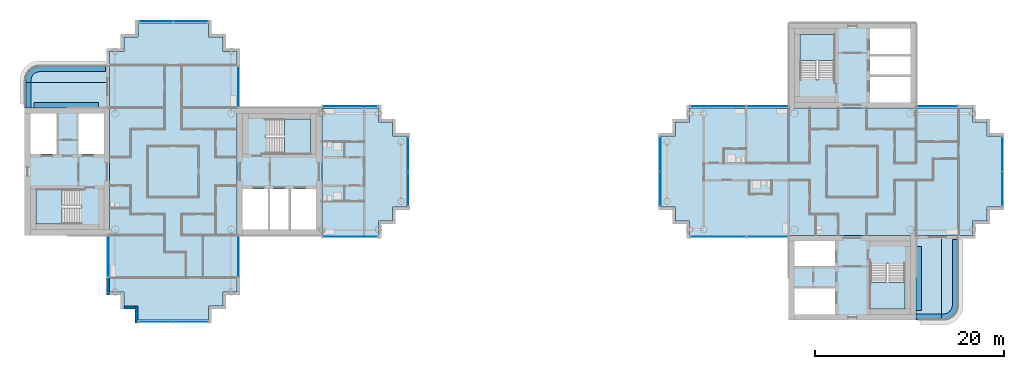
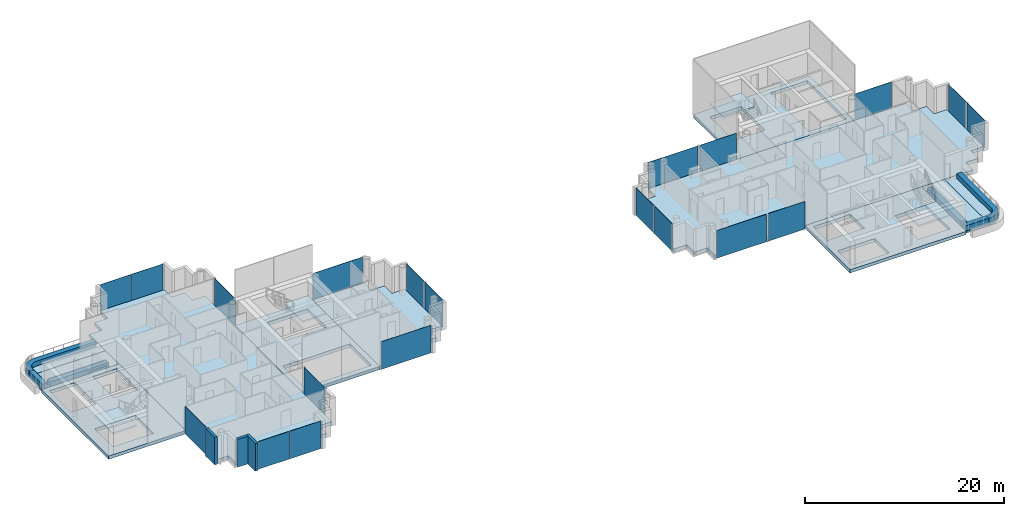
# One storey, part 5 of 18: 21 slabs, 20 plates, 3 walls, 19 elements without a shape of their own.
"""IFC4 building model written with IfcOpenShell, lengths in metres."""

from ifc_helpers import new_model, si_unit, direction, frame, frame_2d, origin, origin_2d, place, context, subcontext, project, spatial, polyline, rectangle, outline, extrude, material, layer, layer_set, type_object, element, aggregate, save


model = new_model("IFC4")

# Units and contexts
model_context = context("Model", 3, precision=1e-05, world=origin(), true_north=direction((0.0, 1.0)))
body_context = subcontext(model_context, "Body", "Model", "MODEL_VIEW")
ifc_project = project(units=[si_unit("LENGTHUNIT", "METRE"), si_unit("AREAUNIT", "SQUARE_METRE"), si_unit("VOLUMEUNIT", "CUBIC_METRE"), si_unit("PLANEANGLEUNIT", "RADIAN"), si_unit("MASSUNIT", "GRAM", prefix="KILO")], contexts=[model_context])

# Site, building, storey
site_placement = place(None, origin())
site = spatial("IfcSite", under=ifc_project, at=site_placement, CompositionType="ELEMENT")
building_placement = place(site_placement, origin())
building = spatial("IfcBuilding", under=site, at=building_placement, Name="Ipe Terrace Towers", CompositionType="ELEMENT")
storey_placement = place(building_placement, frame((0.0, 0.0, 213.0)))
storey = spatial("IfcBuildingStorey", under=building, at=storey_placement, Name="L59", CompositionType="ELEMENT", Elevation=213.0)

# Slabs
ifc_material_1 = material(Name="Concrete C30/37", Category="concrete")
ifc_layer_1 = layer(ifc_material_1, 0.199951171875)
ifc_layer_set_1 = layer_set([ifc_layer_1], Name="BALCONY SLAB 200")
slab_type_1 = type_object("IfcSlabType", Name="BALCONY SLAB 200", PredefinedType="FLOOR", material=ifc_layer_set_1)
slab_1_placement = place(storey_placement, frame((0.0, 0.0, -0.219970703125)))
element("IfcSlab", 1, at=slab_1_placement, inside=storey, type_object=slab_type_1, Name="balcony slab", PredefinedType="FLOOR", context=body_context, shape_type="SweptSolid", body=[
    extrude(outline(polyline([(-51.75, 6.75), (-42.75, 6.75), (-42.75, 9.449951171875), (-51.75, 9.449951171875), (-51.75, 6.75)])), origin(), (0.0, 0.0, 1.0), 0.199951171875),
])
slab_2_placement = place(storey_placement, frame((0.0, 0.0, -0.219970703125)))
element("IfcSlab", 2, at=slab_2_placement, inside=storey, type_object=slab_type_1, Name="balcony slab", PredefinedType="FLOOR", context=body_context, shape_type="SweptSolid", body=[
    extrude(outline(polyline([(-42.75, 11.25), (-50.14990234375, 11.25), (-50.35888671875, 11.236083984375), (-50.56396484375, 11.195068359375), (-50.761962890625, 11.1279296875), (-50.949951171875, 11.035888671875), (-51.1240234375, 10.9189453125), (-51.281005859375, 10.781005859375), (-51.4189453125, 10.6240234375), (-51.535888671875, 10.449951171875), (-51.6279296875, 10.261962890625), (-51.695068359375, 10.06396484375), (-51.736083984375, 9.85888671875), (-51.75, 9.64990234375), (-51.75, 9.449951171875), (-42.75, 9.449951171875), (-42.75, 11.25)])), origin(), (0.0, 0.0, 1.0), 0.199951171875),
])
slab_3_placement = place(storey_placement, frame((0.0, 0.0, -0.219970703125)))
element("IfcSlab", 3, at=slab_3_placement, inside=storey, type_object=slab_type_1, Name="balcony slab", PredefinedType="FLOOR", context=body_context, shape_type="SweptSolid", body=[
    extrude(outline(polyline([(42.75, -15.75), (45.449951171875, -15.75), (45.449951171875, -6.75), (42.75, -6.75), (42.75, -15.75)])), origin(), (0.0, 0.0, 1.0), 0.199951171875),
])
slab_4_placement = place(storey_placement, frame((0.0, 0.0, -0.219970703125)))
element("IfcSlab", 4, at=slab_4_placement, inside=storey, type_object=slab_type_1, Name="balcony slab", PredefinedType="FLOOR", context=body_context, shape_type="SweptSolid", body=[
    extrude(outline(polyline([(47.25, -6.75), (45.449951171875, -6.75), (45.449951171875, -15.75), (45.64990234375, -15.75), (45.85888671875, -15.736083984375), (46.06396484375, -15.695068359375), (46.261962890625, -15.6279296875), (46.449951171875, -15.535888671875), (46.6240234375, -15.4189453125), (46.781005859375, -15.281005859375), (46.9189453125, -15.1240234375), (47.035888671875, -14.949951171875), (47.1279296875, -14.761962890625), (47.195068359375, -14.56396484375), (47.236083984375, -14.35888671875), (47.25, -14.14990234375), (47.25, -6.75)])), origin(), (0.0, 0.0, 1.0), 0.199951171875),
])
ifc_material_2 = material(Name="Concrete C30/37", Category="concrete")
ifc_layer_2 = layer(ifc_material_2, 0.39990234375)
ifc_layer_set_2 = layer_set([ifc_layer_2], Name="CORE FLOOR SLAB 400 C30-37")
slab_type_2 = type_object("IfcSlabType", Name="CORE FLOOR SLAB 400 C30-37", PredefinedType="FLOOR", material=ifc_layer_set_2)
slab_5_placement = place(storey_placement, frame((0.0, 0.0, -0.39990234375)))
element("IfcSlab", 5, at=slab_5_placement, inside=storey, type_object=slab_type_2, Name="Core floor T1-C1", PredefinedType="FLOOR", context=body_context, shape_type="SweptSolid", body=[
    extrude(outline(polyline([(-29.25, -6.75), (-29.25, 6.75), (-20.25, 6.75), (-20.25, -6.75), (-29.25, -6.75)]), holes=[polyline([(-28.64990234375, -6.14990234375), (-20.85009765625, -6.14990234375), (-20.85009765625, -1.85009765625), (-28.64990234375, -1.85009765625), (-28.64990234375, -6.14990234375)]), polyline([(-26.199951171875, 5.550048828125), (-26.199951171875, 1.89990234375), (-21.449951171875, 1.89990234375), (-21.449951171875, 5.550048828125), (-26.199951171875, 5.550048828125)])]), origin(), (0.0, 0.0, 1.0), 0.39990234375),
])
slab_6_placement = place(storey_placement, frame((0.0, 0.0, -0.39990234375)))
element("IfcSlab", 6, at=slab_6_placement, inside=storey, type_object=slab_type_2, Name="Core floor T1-C2", PredefinedType="FLOOR", context=body_context, shape_type="SweptSolid", body=[
    extrude(outline(polyline([(-51.75, -6.75), (-51.75, 6.75), (-42.75, 6.75), (-42.75, -6.75), (-51.75, -6.75)]), holes=[polyline([(-45.800048828125, -1.89990234375), (-50.550048828125, -1.89990234375), (-50.550048828125, -5.550048828125), (-45.800048828125, -5.550048828125), (-45.800048828125, -1.89990234375)]), polyline([(-48.25, 1.85009765625), (-48.25, 6.14990234375), (-51.14990234375, 6.14990234375), (-51.14990234375, 1.85009765625), (-48.25, 1.85009765625)]), polyline([(-43.35009765625, 1.85009765625), (-43.35009765625, 6.14990234375), (-46.14990234375, 6.14990234375), (-46.14990234375, 1.85009765625), (-43.35009765625, 1.85009765625)])]), origin(), (0.0, 0.0, 1.0), 0.39990234375),
])
slab_7_placement = place(storey_placement, frame((0.0, 0.0, -0.39990234375)))
element("IfcSlab", 7, at=slab_7_placement, inside=storey, type_object=slab_type_2, Name="Core floor T2-C1", PredefinedType="FLOOR", context=body_context, shape_type="SweptSolid", body=[
    extrude(outline(polyline([(29.25, 6.75), (29.25, 15.75), (42.75, 15.75), (42.75, 6.75), (29.25, 6.75)]), holes=[polyline([(42.14990234375, 7.35009765625), (42.14990234375, 15.14990234375), (37.85009765625, 15.14990234375), (37.85009765625, 7.35009765625), (42.14990234375, 7.35009765625)]), polyline([(30.449951171875, 9.800048828125), (34.10009765625, 9.800048828125), (34.10009765625, 14.550048828125), (30.449951171875, 14.550048828125), (30.449951171875, 9.800048828125)])]), origin(), (0.0, 0.0, 1.0), 0.39990234375),
])
slab_8_placement = place(storey_placement, frame((0.0, 0.0, -0.39990234375)))
element("IfcSlab", 8, at=slab_8_placement, inside=storey, type_object=slab_type_2, Name="Core floor T2-C2", PredefinedType="FLOOR", context=body_context, shape_type="SweptSolid", body=[
    extrude(outline(polyline([(29.25, -15.75), (29.25, -6.75), (42.75, -6.75), (42.75, -15.75), (29.25, -15.75)]), holes=[polyline([(29.85009765625, -12.25), (29.85009765625, -15.14990234375), (34.14990234375, -15.14990234375), (34.14990234375, -12.25), (29.85009765625, -12.25)]), polyline([(41.550048828125, -9.800048828125), (37.89990234375, -9.800048828125), (37.89990234375, -14.550048828125), (41.550048828125, -14.550048828125), (41.550048828125, -9.800048828125)]), polyline([(34.14990234375, -7.35009765625), (29.85009765625, -7.35009765625), (29.85009765625, -10.14990234375), (34.14990234375, -10.14990234375), (34.14990234375, -7.35009765625)])]), origin(), (0.0, 0.0, 1.0), 0.39990234375),
])

# Stair, slab
ifc_material_3 = material(Name="Concrete C30/37", Category="concrete")
stair_type = type_object("IfcStairType", Name="Protected exit stair", PredefinedType="HALF_TURN_STAIR", material=ifc_material_3)
stair_1_placement = place(storey_placement, origin())
stair_1 = element("IfcStair", 9, at=stair_1_placement, inside=storey, type_object=stair_type, Name="L59 Exit stair T1-C1", PredefinedType="HALF_TURN_STAIR")
ifc_material_4 = material(Name="Concrete C30/37", Category="concrete")
ifc_layer_3 = layer(ifc_material_4, 0.199951171875)
ifc_layer_set_3 = layer_set([ifc_layer_3], Name="Exit stair landing 200")
slab_type_3 = type_object("IfcSlabType", Name="Exit stair landing 200", PredefinedType="LANDING", material=ifc_layer_set_3)
slab_9_placement = place(storey_placement, frame((0.0, 0.0, 1.5)))
slab_9 = element("IfcSlab", 10, at=slab_9_placement, type_object=slab_type_3, Name="T1-ST1 landing 1", PredefinedType="LANDING", context=body_context, shape_type="SweptSolid", body=[
    extrude(outline(polyline([(-24.219970703125, 1.89990234375), (-21.449951171875, 1.89990234375), (-21.449951171875, 5.550048828125), (-24.219970703125, 5.550048828125), (-24.219970703125, 1.89990234375)])), origin(), (0.0, 0.0, 1.0), 0.199951171875),
])
aggregate(stair_1, [slab_9])

stair_2_placement = place(storey_placement, origin())
stair_2 = element("IfcStair", 11, at=stair_2_placement, inside=storey, type_object=stair_type, Name="L59 Exit stair T1-C2", PredefinedType="HALF_TURN_STAIR")
slab_10_placement = place(storey_placement, frame((0.0, 0.0, 1.5)))
slab_10 = element("IfcSlab", 12, at=slab_10_placement, type_object=slab_type_3, Name="T1-ST2 landing 1", PredefinedType="LANDING", context=body_context, shape_type="SweptSolid", body=[
    extrude(outline(polyline([(-47.780029296875, -1.89990234375), (-50.550048828125, -1.89990234375), (-50.550048828125, -5.550048828125), (-47.780029296875, -5.550048828125), (-47.780029296875, -1.89990234375)])), origin(), (0.0, 0.0, 1.0), 0.199951171875),
])
aggregate(stair_2, [slab_10])

stair_3_placement = place(storey_placement, origin())
stair_3 = element("IfcStair", 13, at=stair_3_placement, inside=storey, type_object=stair_type, Name="L59 Exit stair T2-C1", PredefinedType="HALF_TURN_STAIR")
slab_11_placement = place(storey_placement, frame((0.0, 0.0, 1.5)))
slab_11 = element("IfcSlab", 14, at=slab_11_placement, type_object=slab_type_3, Name="T2-ST1 landing 1", PredefinedType="LANDING", context=body_context, shape_type="SweptSolid", body=[
    extrude(outline(polyline([(34.10009765625, 11.780029296875), (34.10009765625, 14.550048828125), (30.449951171875, 14.550048828125), (30.449951171875, 11.780029296875), (34.10009765625, 11.780029296875)])), origin(), (0.0, 0.0, 1.0), 0.199951171875),
])
aggregate(stair_3, [slab_11])

stair_4_placement = place(storey_placement, origin())
stair_4 = element("IfcStair", 15, at=stair_4_placement, inside=storey, type_object=stair_type, Name="L59 Exit stair T2-C2", PredefinedType="HALF_TURN_STAIR")
slab_12_placement = place(storey_placement, frame((0.0, 0.0, 1.5)))
slab_12 = element("IfcSlab", 16, at=slab_12_placement, type_object=slab_type_3, Name="T2-ST2 landing 1", PredefinedType="LANDING", context=body_context, shape_type="SweptSolid", body=[
    extrude(outline(polyline([(37.89990234375, -11.780029296875), (37.89990234375, -14.550048828125), (41.550048828125, -14.550048828125), (41.550048828125, -11.780029296875), (37.89990234375, -11.780029296875)])), origin(), (0.0, 0.0, 1.0), 0.199951171875),
])
aggregate(stair_4, [slab_12])

# Slabs
ifc_material_5 = material(Name="Concrete C40/50", Category="concrete")
ifc_layer_4 = layer(ifc_material_5, 0.39990234375)
ifc_layer_set_4 = layer_set([ifc_layer_4], Name="FLAT PLATE SLAB 400 C40-50")
slab_type_4 = type_object("IfcSlabType", Name="FLAT PLATE SLAB 400 C40-50", PredefinedType="FLOOR", material=ifc_layer_set_4)
slab_13_placement = place(storey_placement, frame((0.0, 0.0, -0.39990234375)))
element("IfcSlab", 17, at=slab_13_placement, inside=storey, type_object=slab_type_4, Name="Slab T1-FS-Z41", PredefinedType="FLOOR", context=body_context, shape_type="SweptSolid", body=[
    extrude(outline(polyline([(-30.75, -12.75), (-30.75, -14.25), (-32.25, -14.25), (-32.25, -15.75), (-39.75, -15.75), (-39.75, -14.25), (-41.25, -14.25), (-41.25, -12.75), (-42.75, -12.75), (-42.75, -6.75), (-42.75, 6.75), (-42.75, 12.75), (-41.25, 12.75), (-41.25, 14.25), (-39.75, 14.25), (-39.75, 15.75), (-32.25, 15.75), (-32.25, 14.25), (-30.75, 14.25), (-30.75, 12.75), (-29.25, 12.75), (-29.25, 6.75), (-29.25, -6.75), (-29.25, -12.75), (-30.75, -12.75)])), origin(), (0.0, 0.0, 1.0), 0.39990234375),
])
slab_14_placement = place(storey_placement, frame((0.0, 0.0, -0.39990234375)))
element("IfcSlab", 18, at=slab_14_placement, inside=storey, type_object=slab_type_4, Name="Slab T1-FS-Z42", PredefinedType="FLOOR", context=body_context, shape_type="SweptSolid", body=[
    extrude(outline(polyline([(-14.25, 5.25), (-12.75, 5.25), (-12.75, 3.75), (-11.25, 3.75), (-11.25, -3.75), (-12.75, -3.75), (-12.75, -5.25), (-14.25, -5.25), (-14.25, -6.75), (-20.25, -6.75), (-20.25, 6.75), (-14.25, 6.75), (-14.25, 5.25)])), origin(), (0.0, 0.0, 1.0), 0.39990234375),
])
slab_15_placement = place(storey_placement, frame((0.0, 0.0, -0.39990234375)))
element("IfcSlab", 19, at=slab_15_placement, inside=storey, type_object=slab_type_4, Name="Slab T2-FS-Z41", PredefinedType="FLOOR", context=body_context, shape_type="SweptSolid", body=[
    extrude(outline(polyline([(48.75, 5.25), (50.25, 5.25), (50.25, 3.75), (51.75, 3.75), (51.75, -3.75), (50.25, -3.75), (50.25, -5.25), (48.75, -5.25), (48.75, -6.75), (42.75, -6.75), (29.25, -6.75), (18.75, -6.75), (18.75, -5.25), (17.25, -5.25), (17.25, -3.75), (15.75, -3.75), (15.75, 3.75), (17.25, 3.75), (17.25, 5.25), (18.75, 5.25), (18.75, 6.75), (29.25, 6.75), (42.75, 6.75), (48.75, 6.75), (48.75, 5.25)])), origin(), (0.0, 0.0, 1.0), 0.39990234375),
])
ifc_material_6 = material(Name="Concrete C30/37", Category="concrete")
ifc_layer_5 = layer(ifc_material_6, 0.60009765625)
ifc_layer_set_5 = layer_set([ifc_layer_5], Name="PLANTER TROUGH 550 x 600")
slab_type_5 = type_object("IfcSlabType", Name="PLANTER TROUGH 550 x 600", PredefinedType="USERDEFINED", material=ifc_layer_set_5)
slab_16_placement = place(storey_placement, frame((0.0, 0.0, -0.02001953125)))
element("IfcSlab", 20, at=slab_16_placement, inside=storey, type_object=slab_type_5, Name="planter", ObjectType="PLANTER", PredefinedType="USERDEFINED", context=body_context, shape_type="SweptSolid", body=[
    extrude(outline(polyline([(-51.639892578125, 6.75), (-51.090087890625, 6.75), (-51.090087890625, 9.449951171875), (-51.639892578125, 9.449951171875), (-51.639892578125, 6.75)])), origin(), (0.0, 0.0, 1.0), 0.60009765625),
])
slab_17_placement = place(storey_placement, frame((0.0, 0.0, -0.02001953125)))
element("IfcSlab", 21, at=slab_17_placement, inside=storey, type_object=slab_type_5, Name="planter", ObjectType="PLANTER", PredefinedType="USERDEFINED", context=body_context, shape_type="SweptSolid", body=[
    extrude(outline(polyline([(-51.056884765625, 9.89306640625), (-51.01708984375, 10.009033203125), (-50.962890625, 10.118896484375), (-50.89501953125, 10.220947265625), (-50.81396484375, 10.31396484375), (-50.720947265625, 10.39501953125), (-50.618896484375, 10.462890625), (-50.509033203125, 10.51708984375), (-50.39306640625, 10.556884765625), (-50.27294921875, 10.5810546875), (-50.1279296875, 10.590087890625), (-43.199951171875, 10.590087890625), (-43.199951171875, 11.139892578125), (-50.136962890625, 11.139892578125), (-50.155029296875, 11.138916015625), (-50.325927734375, 11.1279296875), (-50.362060546875, 11.1240234375), (-50.51806640625, 11.093017578125), (-50.552978515625, 11.0830078125), (-50.702880859375, 11.031982421875), (-50.736083984375, 11.01806640625), (-50.87890625, 10.947998046875), (-50.909912109375, 10.929931640625), (-51.0419921875, 10.842041015625), (-51.070068359375, 10.820068359375), (-51.18994140625, 10.715087890625), (-51.215087890625, 10.68994140625), (-51.320068359375, 10.570068359375), (-51.342041015625, 10.5419921875), (-51.429931640625, 10.409912109375), (-51.447998046875, 10.37890625), (-51.51806640625, 10.236083984375), (-51.531982421875, 10.202880859375), (-51.5830078125, 10.052978515625), (-51.593017578125, 10.01806640625), (-51.6240234375, 9.862060546875), (-51.6279296875, 9.825927734375), (-51.638916015625, 9.655029296875), (-51.639892578125, 9.636962890625), (-51.639892578125, 9.449951171875), (-51.090087890625, 9.449951171875), (-51.090087890625, 9.6279296875), (-51.0810546875, 9.77294921875), (-51.056884765625, 9.89306640625)])), origin(), (0.0, 0.0, 1.0), 0.60009765625),
])
slab_18_placement = place(storey_placement, frame((0.0, 0.0, -0.02001953125)))
element("IfcSlab", 22, at=slab_18_placement, inside=storey, type_object=slab_type_5, Name="planter", ObjectType="PLANTER", PredefinedType="USERDEFINED", context=body_context, shape_type="SweptSolid", body=[
    extrude(outline(polyline([(-43.949951171875, 6.75), (-43.949951171875, 7.300048828125), (-50.75, 7.300048828125), (-50.75, 6.75), (-43.949951171875, 6.75)])), origin(), (0.0, 0.0, 1.0), 0.60009765625),
])
slab_19_placement = place(storey_placement, frame((0.0, 0.0, -0.02001953125)))
element("IfcSlab", 23, at=slab_19_placement, inside=storey, type_object=slab_type_5, Name="planter", ObjectType="PLANTER", PredefinedType="USERDEFINED", context=body_context, shape_type="SweptSolid", body=[
    extrude(outline(polyline([(42.75, -15.639892578125), (45.449951171875, -15.639892578125), (45.449951171875, -15.090087890625), (42.75, -15.090087890625), (42.75, -15.639892578125)])), origin(), (0.0, 0.0, 1.0), 0.60009765625),
])
slab_20_placement = place(storey_placement, frame((0.0, 0.0, -0.02001953125)))
element("IfcSlab", 24, at=slab_20_placement, inside=storey, type_object=slab_type_5, Name="planter", ObjectType="PLANTER", PredefinedType="USERDEFINED", context=body_context, shape_type="SweptSolid", body=[
    extrude(outline(polyline([(45.89306640625, -15.056884765625), (45.77294921875, -15.0810546875), (45.6279296875, -15.090087890625), (45.449951171875, -15.090087890625), (45.449951171875, -15.639892578125), (45.636962890625, -15.639892578125), (45.655029296875, -15.638916015625), (45.825927734375, -15.6279296875), (45.862060546875, -15.6240234375), (46.01806640625, -15.593017578125), (46.052978515625, -15.5830078125), (46.202880859375, -15.531982421875), (46.236083984375, -15.51806640625), (46.37890625, -15.447998046875), (46.409912109375, -15.429931640625), (46.5419921875, -15.342041015625), (46.570068359375, -15.320068359375), (46.68994140625, -15.215087890625), (46.715087890625, -15.18994140625), (46.820068359375, -15.070068359375), (46.842041015625, -15.0419921875), (46.929931640625, -14.909912109375), (46.947998046875, -14.87890625), (47.01806640625, -14.736083984375), (47.031982421875, -14.702880859375), (47.0830078125, -14.552978515625), (47.093017578125, -14.51806640625), (47.1240234375, -14.362060546875), (47.1279296875, -14.325927734375), (47.138916015625, -14.155029296875), (47.139892578125, -14.136962890625), (47.139892578125, -7.199951171875), (46.590087890625, -7.199951171875), (46.590087890625, -14.1279296875), (46.5810546875, -14.27294921875), (46.556884765625, -14.39306640625), (46.51708984375, -14.509033203125), (46.462890625, -14.618896484375), (46.39501953125, -14.720947265625), (46.31396484375, -14.81396484375), (46.220947265625, -14.89501953125), (46.118896484375, -14.962890625), (46.009033203125, -15.01708984375), (45.89306640625, -15.056884765625)])), origin(), (0.0, 0.0, 1.0), 0.60009765625),
])
slab_21_placement = place(storey_placement, frame((0.0, 0.0, -0.02001953125)))
element("IfcSlab", 25, at=slab_21_placement, inside=storey, type_object=slab_type_5, Name="planter", ObjectType="PLANTER", PredefinedType="USERDEFINED", context=body_context, shape_type="SweptSolid", body=[
    extrude(outline(polyline([(42.75, -7.949951171875), (42.75, -14.75), (43.300048828125, -14.75), (43.300048828125, -7.949951171875), (42.75, -7.949951171875)])), origin(), (0.0, 0.0, 1.0), 0.60009765625),
])

# Curtain wall, plate
ifc_material_7 = material(Name="Aluminium alloy 6063-T6", Category="aluminium")
ifc_layer_6 = layer(ifc_material_7, 0.320068359375)
ifc_layer_set_6 = layer_set([ifc_layer_6], Name="TOWER UNITISED CURTAIN WALL")
curtain_wall_type = type_object("IfcCurtainWallType", Name="TOWER UNITISED CURTAIN WALL", PredefinedType="NOTDEFINED", material=ifc_layer_set_6)
curtain_wall_1_placement = place(storey_placement, origin())
curtain_wall_1 = element("IfcCurtainWall", 26, at=curtain_wall_1_placement, inside=storey, type_object=curtain_wall_type, Name="T1-CW-L59-02a curtain wall", PredefinedType="NOTDEFINED")
ifc_material_8 = material(Name="Glass, clear laminated", Category="glass")
ifc_layer_7 = layer(ifc_material_8, 0.031982421875)
ifc_layer_set_7 = layer_set([ifc_layer_7], Name="TOWER UNITISED GLASS PANEL 32")
plate_type = type_object("IfcPlateType", Name="TOWER UNITISED GLASS PANEL 32", PredefinedType="CURTAIN_PANEL", material=ifc_layer_set_7)
plate_1_placement = place(storey_placement, frame((-42.909912109375, -9.0, -0.300048828125), z_axis=(0.0, 0.0, 1.0), x_axis=(0.0, -1.0, 0.0)))
plate_1 = element("IfcPlate", 27, at=plate_1_placement, type_object=plate_type, Name="T1-CW-L59-02a panel 1", PredefinedType="CURTAIN_PANEL", context=body_context, shape_type="SweptSolid", body=[
    extrude(rectangle(XDim=4.260009765625, YDim=0.031982421875, at=origin_2d()), origin(), (0.0, 0.0, 1.0), 3.39990234375),
])
aggregate(curtain_wall_1, [plate_1])

# Curtain wall, plates
curtain_wall_2_placement = place(storey_placement, origin())
curtain_wall_2 = element("IfcCurtainWall", 28, at=curtain_wall_2_placement, inside=storey, type_object=curtain_wall_type, Name="T1-CW-L59-08a curtain wall", PredefinedType="NOTDEFINED")
plate_2_placement = place(storey_placement, frame((-37.831298828125, -15.909912109375, -0.300048828125), z_axis=(0.0, 0.0, 1.0), x_axis=(1.0, 0.0, 0.0)))
plate_2 = element("IfcPlate", 29, at=plate_2_placement, type_object=plate_type, Name="T1-CW-L59-08a panel 1", PredefinedType="CURTAIN_PANEL", context=body_context, shape_type="SweptSolid", body=[
    extrude(rectangle(XDim=3.597412109375, YDim=0.031982421875, at=origin_2d()), origin(), (0.0, 0.0, 1.0), 3.39990234375),
])
plate_3_placement = place(storey_placement, frame((-34.168701171875, -15.909912109375, -0.300048828125), z_axis=(0.0, 0.0, 1.0), x_axis=(1.0, 0.0, 0.0)))
plate_3 = element("IfcPlate", 30, at=plate_3_placement, type_object=plate_type, Name="T1-CW-L59-08a panel 2", PredefinedType="CURTAIN_PANEL", context=body_context, shape_type="SweptSolid", body=[
    extrude(rectangle(XDim=3.597412109375, YDim=0.031982421875, at=origin_2d()), origin(), (0.0, 0.0, 1.0), 3.39990234375),
])
aggregate(curtain_wall_2, [plate_2, plate_3])

# Curtain wall, plate
curtain_wall_3_placement = place(storey_placement, origin())
curtain_wall_3 = element("IfcCurtainWall", 31, at=curtain_wall_3_placement, inside=storey, type_object=curtain_wall_type, Name="T1-CW-L59-14a curtain wall", PredefinedType="NOTDEFINED")
plate_4_placement = place(storey_placement, frame((-29.090087890625, -9.0, -0.300048828125), z_axis=(0.0, 0.0, 1.0), x_axis=(0.0, 1.0, 0.0)))
plate_4 = element("IfcPlate", 32, at=plate_4_placement, type_object=plate_type, Name="T1-CW-L59-14a panel 1", PredefinedType="CURTAIN_PANEL", context=body_context, shape_type="SweptSolid", body=[
    extrude(rectangle(XDim=4.260009765625, YDim=0.031982421875, at=origin_2d()), origin(), (0.0, 0.0, 1.0), 3.39990234375),
])
aggregate(curtain_wall_3, [plate_4])

curtain_wall_4_placement = place(storey_placement, origin())
curtain_wall_4 = element("IfcCurtainWall", 33, at=curtain_wall_4_placement, inside=storey, type_object=curtain_wall_type, Name="T1-CW-L59-16b curtain wall", PredefinedType="NOTDEFINED")
plate_5_placement = place(storey_placement, frame((-17.24951171875, -6.909912109375, -0.300048828125), z_axis=(0.0, 0.0, 1.0), x_axis=(1.0, 0.0, 0.0)))
plate_5 = element("IfcPlate", 34, at=plate_5_placement, type_object=plate_type, Name="T1-CW-L59-16b panel 1", PredefinedType="CURTAIN_PANEL", context=body_context, shape_type="SweptSolid", body=[
    extrude(rectangle(XDim=5.759033203125, YDim=0.031982421875, at=origin_2d()), origin(), (0.0, 0.0, 1.0), 3.39990234375),
])
aggregate(curtain_wall_4, [plate_5])

# Curtain wall, plates
curtain_wall_5_placement = place(storey_placement, origin())
curtain_wall_5 = element("IfcCurtainWall", 35, at=curtain_wall_5_placement, inside=storey, type_object=curtain_wall_type, Name="T1-CW-L59-21a curtain wall", PredefinedType="NOTDEFINED")
plate_6_placement = place(storey_placement, frame((-11.090087890625, -1.831298828125, -0.300048828125), z_axis=(0.0, 0.0, 1.0), x_axis=(0.0, 1.0, 0.0)))
plate_6 = element("IfcPlate", 36, at=plate_6_placement, type_object=plate_type, Name="T1-CW-L59-21a panel 1", PredefinedType="CURTAIN_PANEL", context=body_context, shape_type="SweptSolid", body=[
    extrude(rectangle(XDim=3.597412109375, YDim=0.031982421875, at=origin_2d()), origin(), (0.0, 0.0, 1.0), 3.39990234375),
])
plate_7_placement = place(storey_placement, frame((-11.090087890625, 1.831298828125, -0.300048828125), z_axis=(0.0, 0.0, 1.0), x_axis=(0.0, 1.0, 0.0)))
plate_7 = element("IfcPlate", 37, at=plate_7_placement, type_object=plate_type, Name="T1-CW-L59-21a panel 2", PredefinedType="CURTAIN_PANEL", context=body_context, shape_type="SweptSolid", body=[
    extrude(rectangle(XDim=3.597412109375, YDim=0.031982421875, at=origin_2d()), origin(), (0.0, 0.0, 1.0), 3.39990234375),
])
aggregate(curtain_wall_5, [plate_6, plate_7])

# Curtain wall, plate
curtain_wall_6_placement = place(storey_placement, origin())
curtain_wall_6 = element("IfcCurtainWall", 38, at=curtain_wall_6_placement, inside=storey, type_object=curtain_wall_type, Name="T1-CW-L59-26a curtain wall", PredefinedType="NOTDEFINED")
plate_8_placement = place(storey_placement, frame((-17.24951171875, 6.909912109375, -0.300048828125), z_axis=(0.0, 0.0, 1.0), x_axis=(-1.0, 0.0, 0.0)))
plate_8 = element("IfcPlate", 39, at=plate_8_placement, type_object=plate_type, Name="T1-CW-L59-26a panel 1", PredefinedType="CURTAIN_PANEL", context=body_context, shape_type="SweptSolid", body=[
    extrude(rectangle(XDim=5.759033203125, YDim=0.031982421875, at=origin_2d()), origin(), (0.0, 0.0, 1.0), 3.39990234375),
])
aggregate(curtain_wall_6, [plate_8])

curtain_wall_7_placement = place(storey_placement, origin())
curtain_wall_7 = element("IfcCurtainWall", 40, at=curtain_wall_7_placement, inside=storey, type_object=curtain_wall_type, Name="T1-CW-L59-28a curtain wall", PredefinedType="NOTDEFINED")
plate_9_placement = place(storey_placement, frame((-29.090087890625, 9.0, -0.300048828125), z_axis=(0.0, 0.0, 1.0), x_axis=(0.0, 1.0, 0.0)))
plate_9 = element("IfcPlate", 41, at=plate_9_placement, type_object=plate_type, Name="T1-CW-L59-28a panel 1", PredefinedType="CURTAIN_PANEL", context=body_context, shape_type="SweptSolid", body=[
    extrude(rectangle(XDim=4.260009765625, YDim=0.031982421875, at=origin_2d()), origin(), (0.0, 0.0, 1.0), 3.39990234375),
])
aggregate(curtain_wall_7, [plate_9])

# Curtain wall, plates
curtain_wall_8_placement = place(storey_placement, origin())
curtain_wall_8 = element("IfcCurtainWall", 42, at=curtain_wall_8_placement, inside=storey, type_object=curtain_wall_type, Name="T1-CW-L59-34a curtain wall", PredefinedType="NOTDEFINED")
plate_10_placement = place(storey_placement, frame((-34.168701171875, 15.909912109375, -0.300048828125), z_axis=(0.0, 0.0, 1.0), x_axis=(-1.0, 0.0, 0.0)))
plate_10 = element("IfcPlate", 43, at=plate_10_placement, type_object=plate_type, Name="T1-CW-L59-34a panel 1", PredefinedType="CURTAIN_PANEL", context=body_context, shape_type="SweptSolid", body=[
    extrude(rectangle(XDim=3.597412109375, YDim=0.031982421875, at=origin_2d()), origin(), (0.0, 0.0, 1.0), 3.39990234375),
])
plate_11_placement = place(storey_placement, frame((-37.831298828125, 15.909912109375, -0.300048828125), z_axis=(0.0, 0.0, 1.0), x_axis=(-1.0, 0.0, 0.0)))
plate_11 = element("IfcPlate", 44, at=plate_11_placement, type_object=plate_type, Name="T1-CW-L59-34a panel 2", PredefinedType="CURTAIN_PANEL", context=body_context, shape_type="SweptSolid", body=[
    extrude(rectangle(XDim=3.597412109375, YDim=0.031982421875, at=origin_2d()), origin(), (0.0, 0.0, 1.0), 3.39990234375),
])
aggregate(curtain_wall_8, [plate_10, plate_11])

curtain_wall_9_placement = place(storey_placement, origin())
curtain_wall_9 = element("IfcCurtainWall", 45, at=curtain_wall_9_placement, inside=storey, type_object=curtain_wall_type, Name="T2-CW-L59-08a curtain wall", PredefinedType="NOTDEFINED")
plate_12_placement = place(storey_placement, frame((51.909912109375, -1.831298828125, -0.300048828125), z_axis=(0.0, 0.0, 1.0), x_axis=(0.0, 1.0, 0.0)))
plate_12 = element("IfcPlate", 46, at=plate_12_placement, type_object=plate_type, Name="T2-CW-L59-08a panel 1", PredefinedType="CURTAIN_PANEL", context=body_context, shape_type="SweptSolid", body=[
    extrude(rectangle(XDim=3.597412109375, YDim=0.031982421875, at=origin_2d()), origin(), (0.0, 0.0, 1.0), 3.39990234375),
])
plate_13_placement = place(storey_placement, frame((51.909912109375, 1.831298828125, -0.300048828125), z_axis=(0.0, 0.0, 1.0), x_axis=(0.0, 1.0, 0.0)))
plate_13 = element("IfcPlate", 47, at=plate_13_placement, type_object=plate_type, Name="T2-CW-L59-08a panel 2", PredefinedType="CURTAIN_PANEL", context=body_context, shape_type="SweptSolid", body=[
    extrude(rectangle(XDim=3.597412109375, YDim=0.031982421875, at=origin_2d()), origin(), (0.0, 0.0, 1.0), 3.39990234375),
])
aggregate(curtain_wall_9, [plate_12, plate_13])

# Curtain wall, plate
curtain_wall_10_placement = place(storey_placement, origin())
curtain_wall_10 = element("IfcCurtainWall", 48, at=curtain_wall_10_placement, inside=storey, type_object=curtain_wall_type, Name="T2-CW-L59-14a curtain wall", PredefinedType="NOTDEFINED")
plate_14_placement = place(storey_placement, frame((45.0, 6.909912109375, -0.300048828125), z_axis=(0.0, 0.0, 1.0), x_axis=(-1.0, 0.0, 0.0)))
plate_14 = element("IfcPlate", 49, at=plate_14_placement, type_object=plate_type, Name="T2-CW-L59-14a panel 1", PredefinedType="CURTAIN_PANEL", context=body_context, shape_type="SweptSolid", body=[
    extrude(rectangle(XDim=4.260009765625, YDim=0.031982421875, at=origin_2d()), origin(), (0.0, 0.0, 1.0), 3.39990234375),
])
aggregate(curtain_wall_10, [plate_14])

curtain_wall_11_placement = place(storey_placement, origin())
curtain_wall_11 = element("IfcCurtainWall", 50, at=curtain_wall_11_placement, inside=storey, type_object=curtain_wall_type, Name="T2-CW-L59-20a curtain wall", PredefinedType="NOTDEFINED")
plate_15_placement = place(storey_placement, frame((27.0, 6.909912109375, -0.300048828125), z_axis=(0.0, 0.0, 1.0), x_axis=(-1.0, 0.0, 0.0)))
plate_15 = element("IfcPlate", 51, at=plate_15_placement, type_object=plate_type, Name="T2-CW-L59-20a panel 1", PredefinedType="CURTAIN_PANEL", context=body_context, shape_type="SweptSolid", body=[
    extrude(rectangle(XDim=4.260009765625, YDim=0.031982421875, at=origin_2d()), origin(), (0.0, 0.0, 1.0), 3.39990234375),
])
aggregate(curtain_wall_11, [plate_15])

curtain_wall_12_placement = place(storey_placement, origin())
curtain_wall_12 = element("IfcCurtainWall", 52, at=curtain_wall_12_placement, inside=storey, type_object=curtain_wall_type, Name="T2-CW-L59-21a curtain wall", PredefinedType="NOTDEFINED")
plate_16_placement = place(storey_placement, frame((21.75, 6.909912109375, -0.300048828125), z_axis=(0.0, 0.0, 1.0), x_axis=(-1.0, 0.0, 0.0)))
plate_16 = element("IfcPlate", 53, at=plate_16_placement, type_object=plate_type, Name="T2-CW-L59-21a panel 1", PredefinedType="CURTAIN_PANEL", context=body_context, shape_type="SweptSolid", body=[
    extrude(rectangle(XDim=5.760009765625, YDim=0.031982421875, at=origin_2d()), origin(), (0.0, 0.0, 1.0), 3.39990234375),
])
aggregate(curtain_wall_12, [plate_16])

# Curtain wall, plates
curtain_wall_13_placement = place(storey_placement, origin())
curtain_wall_13 = element("IfcCurtainWall", 54, at=curtain_wall_13_placement, inside=storey, type_object=curtain_wall_type, Name="T2-CW-L59-26a curtain wall", PredefinedType="NOTDEFINED")
plate_17_placement = place(storey_placement, frame((15.590087890625, 1.831298828125, -0.300048828125), z_axis=(0.0, 0.0, 1.0), x_axis=(0.0, -1.0, 0.0)))
plate_17 = element("IfcPlate", 55, at=plate_17_placement, type_object=plate_type, Name="T2-CW-L59-26a panel 1", PredefinedType="CURTAIN_PANEL", context=body_context, shape_type="SweptSolid", body=[
    extrude(rectangle(XDim=3.597412109375, YDim=0.031982421875, at=origin_2d()), origin(), (0.0, 0.0, 1.0), 3.39990234375),
])
plate_18_placement = place(storey_placement, frame((15.590087890625, -1.831298828125, -0.300048828125), z_axis=(0.0, 0.0, 1.0), x_axis=(0.0, -1.0, 0.0)))
plate_18 = element("IfcPlate", 56, at=plate_18_placement, type_object=plate_type, Name="T2-CW-L59-26a panel 2", PredefinedType="CURTAIN_PANEL", context=body_context, shape_type="SweptSolid", body=[
    extrude(rectangle(XDim=3.597412109375, YDim=0.031982421875, at=origin_2d()), origin(), (0.0, 0.0, 1.0), 3.39990234375),
])
aggregate(curtain_wall_13, [plate_17, plate_18])

# Curtain wall, plate
curtain_wall_14_placement = place(storey_placement, origin())
curtain_wall_14 = element("IfcCurtainWall", 57, at=curtain_wall_14_placement, inside=storey, type_object=curtain_wall_type, Name="T2-CW-L59-31a curtain wall", PredefinedType="NOTDEFINED")
plate_19_placement = place(storey_placement, frame((21.75, -6.909912109375, -0.300048828125), z_axis=(0.0, 0.0, 1.0), x_axis=(1.0, 0.0, 0.0)))
plate_19 = element("IfcPlate", 58, at=plate_19_placement, type_object=plate_type, Name="T2-CW-L59-31a panel 1", PredefinedType="CURTAIN_PANEL", context=body_context, shape_type="SweptSolid", body=[
    extrude(rectangle(XDim=5.760009765625, YDim=0.031982421875, at=origin_2d()), origin(), (0.0, 0.0, 1.0), 3.39990234375),
])
aggregate(curtain_wall_14, [plate_19])

curtain_wall_15_placement = place(storey_placement, origin())
curtain_wall_15 = element("IfcCurtainWall", 59, at=curtain_wall_15_placement, inside=storey, type_object=curtain_wall_type, Name="T2-CW-L59-32a curtain wall", PredefinedType="NOTDEFINED")
plate_20_placement = place(storey_placement, frame((27.0, -6.909912109375, -0.300048828125), z_axis=(0.0, 0.0, 1.0), x_axis=(1.0, 0.0, 0.0)))
plate_20 = element("IfcPlate", 60, at=plate_20_placement, type_object=plate_type, Name="T2-CW-L59-32a panel 1", PredefinedType="CURTAIN_PANEL", context=body_context, shape_type="SweptSolid", body=[
    extrude(rectangle(XDim=4.260009765625, YDim=0.031982421875, at=origin_2d()), origin(), (0.0, 0.0, 1.0), 3.39990234375),
])
aggregate(curtain_wall_15, [plate_20])

# Walls
ifc_material_9 = material(Name="Concrete C40/50 with buff precast cladding", Category="concrete")
ifc_layer_8 = layer(ifc_material_9, 0.320068359375)
ifc_layer_set_8 = layer_set([ifc_layer_8], Name="BUFF CLADDING WALL 320")
wall_type = type_object("IfcWallType", Name="BUFF CLADDING WALL 320", PredefinedType="STANDARD", material=ifc_layer_set_8)
wall_1_placement = place(storey_placement, frame((-42.909912109375, -11.25, -0.300048828125), z_axis=(0.0, 0.0, 1.0), x_axis=(0.0, -1.0, 0.0)))
element("IfcWall", 61, at=wall_1_placement, inside=storey, type_object=wall_type, Name="T1-W-L59-03a wall", PredefinedType="STANDARD", context=body_context, shape_type="SweptSolid", body=[
    extrude(rectangle(XDim=1.820068359375, YDim=0.320068359375, at=frame_2d((0.91015625, 0.0))), origin(), (0.0, 0.0, 1.0), 3.400146484375),
])
wall_2_placement = place(storey_placement, frame((-41.25, -14.409912109375, -0.300048828125), z_axis=(0.0, 0.0, 1.0), x_axis=(1.0, 0.0, 0.0)))
element("IfcWall", 62, at=wall_2_placement, inside=storey, type_object=wall_type, Name="T1-W-L59-06a wall", PredefinedType="STANDARD", context=body_context, shape_type="SweptSolid", body=[
    extrude(rectangle(XDim=1.179931640625, YDim=0.320068359375, at=frame_2d((0.58984375, 0.0))), origin(), (0.0, 0.0, 1.0), 3.400146484375),
])
wall_3_placement = place(storey_placement, frame((-39.909912109375, -14.25, -0.300048828125), z_axis=(0.0, 0.0, 1.0), x_axis=(0.0, -1.0, 0.0)))
element("IfcWall", 63, at=wall_3_placement, inside=storey, type_object=wall_type, Name="T1-W-L59-07a wall", PredefinedType="STANDARD", context=body_context, shape_type="SweptSolid", body=[
    extrude(rectangle(XDim=1.820068359375, YDim=0.320068359375, at=frame_2d((0.91015625, 0.0))), origin(), (0.0, 0.0, 1.0), 3.400146484375),
])

save(model, "model.ifc")
